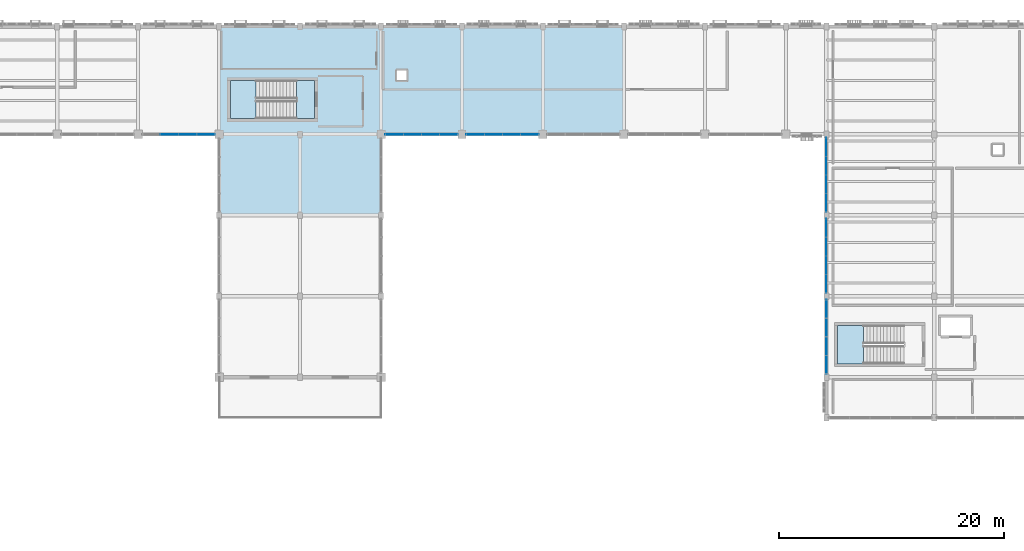
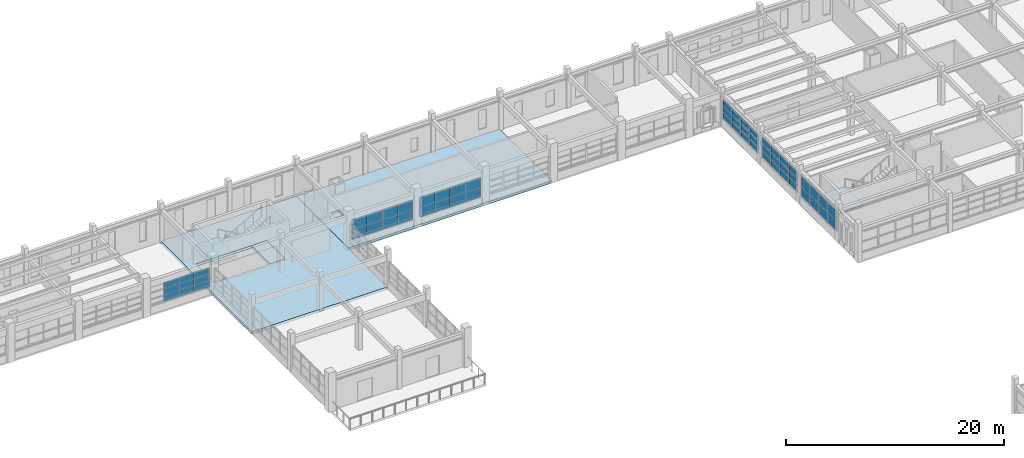
# One storey, part 39 of 69: 57 plates, 5 slabs, 8 elements without a shape of their own.
"""IFC4 building model written with IfcOpenShell, lengths in metres."""

from ifc_helpers import new_model, si_unit, direction, frame, origin, origin_2d, place, context, subcontext, project, spatial, polyline, rectangle, outline, extrude, material, layer, layer_set, type_object, element, aggregate, save


model = new_model("IFC4")

# Units and contexts
model_context = context("Model", 3, precision=1e-05, world=origin(), true_north=direction((0.0, 1.0)))
body_context = subcontext(model_context, "Body", "Model", "MODEL_VIEW")
ifc_project = project(units=[si_unit("LENGTHUNIT", "METRE"), si_unit("AREAUNIT", "SQUARE_METRE"), si_unit("VOLUMEUNIT", "CUBIC_METRE"), si_unit("PLANEANGLEUNIT", "RADIAN"), si_unit("MASSUNIT", "GRAM", prefix="KILO")], contexts=[model_context])

# Site, building, storey
site_placement = place(None, origin())
site = spatial("IfcSite", under=ifc_project, at=site_placement, CompositionType="ELEMENT")
building_placement = place(site_placement, origin())
building = spatial("IfcBuilding", under=site, at=building_placement, Name="Nzembalo Square Collegiate School", CompositionType="ELEMENT")
storey_placement = place(building_placement, frame((0.0, 0.0, 5.10009765625)))
storey = spatial("IfcBuildingStorey", under=building, at=storey_placement, Name="L01", CompositionType="ELEMENT", Elevation=5.10009765625)

# Curtain wall, plates
ifc_material_1 = material(Name="Aluminium 6060-T66", Category="aluminium")
curtain_wall_type_1 = type_object("IfcCurtainWallType", Name="CW-01", PredefinedType="USERDEFINED", material=ifc_material_1)
curtain_wall_1_placement = place(storey_placement, origin())
curtain_wall_1 = element("IfcCurtainWall", 1, at=curtain_wall_1_placement, inside=storey, type_object=curtain_wall_type_1, Name="Curtain wall CW-01 cw:L01:072", ObjectType="UNITISED", PredefinedType="USERDEFINED")
ifc_material_2 = material(Name="Laminated solar-control double glazing", Category="glass")
ifc_layer_1 = layer(ifc_material_2, 0.028076171875, Name="Laminated solar-control double glazing")
ifc_layer_set_1 = layer_set([ifc_layer_1], Name="Laminated solar-control double glazing")
plate_type_1 = type_object("IfcPlateType", Name="PN01", PredefinedType="CURTAIN_PANEL", material=ifc_layer_set_1)
plate_1_placement = place(storey_placement, frame((130.800048828125, 91.12646484375, 0.85400390625), z_axis=(0.0, 0.0, 1.0), x_axis=(0.0, 1.0, 0.0)))
plate_1 = element("IfcPlate", 2, at=plate_1_placement, type_object=plate_type_1, Name="PN01 glazed panel 1-1", PredefinedType="CURTAIN_PANEL", context=body_context, shape_type="SweptSolid", body=[
    extrude(rectangle(XDim=1.64111328125, YDim=0.028076171875, at=origin_2d()), origin(), (0.0, 0.0, 1.0), 0.7900390625),
])
plate_2_placement = place(storey_placement, frame((130.800048828125, 92.775390625, 0.85400390625), z_axis=(0.0, 0.0, 1.0), x_axis=(0.0, 1.0, 0.0)))
plate_2 = element("IfcPlate", 3, at=plate_2_placement, type_object=plate_type_1, Name="PN01 glazed panel 1-2", PredefinedType="CURTAIN_PANEL", context=body_context, shape_type="SweptSolid", body=[
    extrude(rectangle(XDim=1.64111328125, YDim=0.028076171875, at=origin_2d()), origin(), (0.0, 0.0, 1.0), 0.7900390625),
])
plate_3_placement = place(storey_placement, frame((130.800048828125, 94.424560546875, 0.85400390625), z_axis=(0.0, 0.0, 1.0), x_axis=(0.0, 1.0, 0.0)))
plate_3 = element("IfcPlate", 4, at=plate_3_placement, type_object=plate_type_1, Name="PN01 glazed panel 1-3", PredefinedType="CURTAIN_PANEL", context=body_context, shape_type="SweptSolid", body=[
    extrude(rectangle(XDim=1.64111328125, YDim=0.028076171875, at=origin_2d()), origin(), (0.0, 0.0, 1.0), 0.7900390625),
])
plate_4_placement = place(storey_placement, frame((130.800048828125, 96.073486328125, 0.85400390625), z_axis=(0.0, 0.0, 1.0), x_axis=(0.0, 1.0, 0.0)))
plate_4 = element("IfcPlate", 5, at=plate_4_placement, type_object=plate_type_1, Name="PN01 glazed panel 1-4", PredefinedType="CURTAIN_PANEL", context=body_context, shape_type="SweptSolid", body=[
    extrude(rectangle(XDim=1.64111328125, YDim=0.028076171875, at=origin_2d()), origin(), (0.0, 0.0, 1.0), 0.7900390625),
])
plate_5_placement = place(storey_placement, frame((130.800048828125, 91.12646484375, 1.65185546875), z_axis=(0.0, 0.0, 1.0), x_axis=(0.0, 1.0, 0.0)))
plate_5 = element("IfcPlate", 6, at=plate_5_placement, type_object=plate_type_1, Name="PN01 glazed panel 2-1", PredefinedType="CURTAIN_PANEL", context=body_context, shape_type="SweptSolid", body=[
    extrude(rectangle(XDim=1.64111328125, YDim=0.028076171875, at=origin_2d()), origin(), (0.0, 0.0, 1.0), 0.7900390625),
])
plate_6_placement = place(storey_placement, frame((130.800048828125, 92.775390625, 1.65185546875), z_axis=(0.0, 0.0, 1.0), x_axis=(0.0, 1.0, 0.0)))
plate_6 = element("IfcPlate", 7, at=plate_6_placement, type_object=plate_type_1, Name="PN01 glazed panel 2-2", PredefinedType="CURTAIN_PANEL", context=body_context, shape_type="SweptSolid", body=[
    extrude(rectangle(XDim=1.64111328125, YDim=0.028076171875, at=origin_2d()), origin(), (0.0, 0.0, 1.0), 0.7900390625),
])
plate_7_placement = place(storey_placement, frame((130.800048828125, 94.424560546875, 1.65185546875), z_axis=(0.0, 0.0, 1.0), x_axis=(0.0, 1.0, 0.0)))
plate_7 = element("IfcPlate", 8, at=plate_7_placement, type_object=plate_type_1, Name="PN01 glazed panel 2-3", PredefinedType="CURTAIN_PANEL", context=body_context, shape_type="SweptSolid", body=[
    extrude(rectangle(XDim=1.64111328125, YDim=0.028076171875, at=origin_2d()), origin(), (0.0, 0.0, 1.0), 0.7900390625),
])
plate_8_placement = place(storey_placement, frame((130.800048828125, 96.073486328125, 1.65185546875), z_axis=(0.0, 0.0, 1.0), x_axis=(0.0, 1.0, 0.0)))
plate_8 = element("IfcPlate", 9, at=plate_8_placement, type_object=plate_type_1, Name="PN01 glazed panel 2-4", PredefinedType="CURTAIN_PANEL", context=body_context, shape_type="SweptSolid", body=[
    extrude(rectangle(XDim=1.64111328125, YDim=0.028076171875, at=origin_2d()), origin(), (0.0, 0.0, 1.0), 0.7900390625),
])
plate_9_placement = place(storey_placement, frame((130.800048828125, 91.12646484375, 2.449951171875), z_axis=(0.0, 0.0, 1.0), x_axis=(0.0, 1.0, 0.0)))
plate_9 = element("IfcPlate", 10, at=plate_9_placement, type_object=plate_type_1, Name="PN01 glazed panel 3-1", PredefinedType="CURTAIN_PANEL", context=body_context, shape_type="SweptSolid", body=[
    extrude(rectangle(XDim=1.64111328125, YDim=0.028076171875, at=origin_2d()), origin(), (0.0, 0.0, 1.0), 0.7900390625),
])
plate_10_placement = place(storey_placement, frame((130.800048828125, 92.775390625, 2.449951171875), z_axis=(0.0, 0.0, 1.0), x_axis=(0.0, 1.0, 0.0)))
plate_10 = element("IfcPlate", 11, at=plate_10_placement, type_object=plate_type_1, Name="PN01 glazed panel 3-2", PredefinedType="CURTAIN_PANEL", context=body_context, shape_type="SweptSolid", body=[
    extrude(rectangle(XDim=1.64111328125, YDim=0.028076171875, at=origin_2d()), origin(), (0.0, 0.0, 1.0), 0.7900390625),
])
plate_11_placement = place(storey_placement, frame((130.800048828125, 94.424560546875, 2.449951171875), z_axis=(0.0, 0.0, 1.0), x_axis=(0.0, 1.0, 0.0)))
plate_11 = element("IfcPlate", 12, at=plate_11_placement, type_object=plate_type_1, Name="PN01 glazed panel 3-3", PredefinedType="CURTAIN_PANEL", context=body_context, shape_type="SweptSolid", body=[
    extrude(rectangle(XDim=1.64111328125, YDim=0.028076171875, at=origin_2d()), origin(), (0.0, 0.0, 1.0), 0.7900390625),
])
plate_12_placement = place(storey_placement, frame((130.800048828125, 96.073486328125, 2.449951171875), z_axis=(0.0, 0.0, 1.0), x_axis=(0.0, 1.0, 0.0)))
plate_12 = element("IfcPlate", 13, at=plate_12_placement, type_object=plate_type_1, Name="PN01 glazed panel 3-4", PredefinedType="CURTAIN_PANEL", context=body_context, shape_type="SweptSolid", body=[
    extrude(rectangle(XDim=1.64111328125, YDim=0.028076171875, at=origin_2d()), origin(), (0.0, 0.0, 1.0), 0.7900390625),
])
aggregate(curtain_wall_1, [plate_1, plate_2, plate_3, plate_4, plate_5, plate_6, plate_7, plate_8, plate_9, plate_10, plate_11, plate_12])

ifc_material_3 = material(Name="Aluminium 6060-T66", Category="aluminium")
curtain_wall_type_2 = type_object("IfcCurtainWallType", Name="CW-02", PredefinedType="USERDEFINED", material=ifc_material_3)
curtain_wall_2_placement = place(storey_placement, origin())
curtain_wall_2 = element("IfcCurtainWall", 14, at=curtain_wall_2_placement, inside=storey, type_object=curtain_wall_type_2, Name="Curtain wall CW-02 cw:L01:073", ObjectType="UNITISED", PredefinedType="USERDEFINED")
plate_13_placement = place(storey_placement, frame((130.800048828125, 98.326416015625, 0.85400390625), z_axis=(0.0, 0.0, 1.0), x_axis=(0.0, 1.0, 0.0)))
plate_13 = element("IfcPlate", 15, at=plate_13_placement, type_object=plate_type_1, Name="PN01 glazed panel 1-1", PredefinedType="CURTAIN_PANEL", context=body_context, shape_type="SweptSolid", body=[
    extrude(rectangle(XDim=1.64111328125, YDim=0.028076171875, at=origin_2d()), origin(), (0.0, 0.0, 1.0), 0.716552734375),
])
plate_14_placement = place(storey_placement, frame((130.800048828125, 99.9755859375, 0.85400390625), z_axis=(0.0, 0.0, 1.0), x_axis=(0.0, 1.0, 0.0)))
plate_14 = element("IfcPlate", 16, at=plate_14_placement, type_object=plate_type_1, Name="PN01 glazed panel 1-2", PredefinedType="CURTAIN_PANEL", context=body_context, shape_type="SweptSolid", body=[
    extrude(rectangle(XDim=1.64111328125, YDim=0.028076171875, at=origin_2d()), origin(), (0.0, 0.0, 1.0), 0.716552734375),
])
plate_15_placement = place(storey_placement, frame((130.800048828125, 101.62451171875, 0.85400390625), z_axis=(0.0, 0.0, 1.0), x_axis=(0.0, 1.0, 0.0)))
plate_15 = element("IfcPlate", 17, at=plate_15_placement, type_object=plate_type_1, Name="PN01 glazed panel 1-3", PredefinedType="CURTAIN_PANEL", context=body_context, shape_type="SweptSolid", body=[
    extrude(rectangle(XDim=1.64111328125, YDim=0.028076171875, at=origin_2d()), origin(), (0.0, 0.0, 1.0), 0.716552734375),
])
plate_16_placement = place(storey_placement, frame((130.800048828125, 103.2734375, 0.85400390625), z_axis=(0.0, 0.0, 1.0), x_axis=(0.0, 1.0, 0.0)))
plate_16 = element("IfcPlate", 18, at=plate_16_placement, type_object=plate_type_1, Name="PN01 glazed panel 1-4", PredefinedType="CURTAIN_PANEL", context=body_context, shape_type="SweptSolid", body=[
    extrude(rectangle(XDim=1.64111328125, YDim=0.028076171875, at=origin_2d()), origin(), (0.0, 0.0, 1.0), 0.716552734375),
])
plate_17_placement = place(storey_placement, frame((130.800048828125, 98.326416015625, 1.57861328125), z_axis=(0.0, 0.0, 1.0), x_axis=(0.0, 1.0, 0.0)))
plate_17 = element("IfcPlate", 19, at=plate_17_placement, type_object=plate_type_1, Name="PN01 glazed panel 2-1", PredefinedType="CURTAIN_PANEL", context=body_context, shape_type="SweptSolid", body=[
    extrude(rectangle(XDim=1.64111328125, YDim=0.028076171875, at=origin_2d()), origin(), (0.0, 0.0, 1.0), 0.716552734375),
])
plate_18_placement = place(storey_placement, frame((130.800048828125, 99.9755859375, 1.57861328125), z_axis=(0.0, 0.0, 1.0), x_axis=(0.0, 1.0, 0.0)))
plate_18 = element("IfcPlate", 20, at=plate_18_placement, type_object=plate_type_1, Name="PN01 glazed panel 2-2", PredefinedType="CURTAIN_PANEL", context=body_context, shape_type="SweptSolid", body=[
    extrude(rectangle(XDim=1.64111328125, YDim=0.028076171875, at=origin_2d()), origin(), (0.0, 0.0, 1.0), 0.716552734375),
])
plate_19_placement = place(storey_placement, frame((130.800048828125, 101.62451171875, 1.57861328125), z_axis=(0.0, 0.0, 1.0), x_axis=(0.0, 1.0, 0.0)))
plate_19 = element("IfcPlate", 21, at=plate_19_placement, type_object=plate_type_1, Name="PN01 glazed panel 2-3", PredefinedType="CURTAIN_PANEL", context=body_context, shape_type="SweptSolid", body=[
    extrude(rectangle(XDim=1.64111328125, YDim=0.028076171875, at=origin_2d()), origin(), (0.0, 0.0, 1.0), 0.716552734375),
])
plate_20_placement = place(storey_placement, frame((130.800048828125, 103.2734375, 1.57861328125), z_axis=(0.0, 0.0, 1.0), x_axis=(0.0, 1.0, 0.0)))
plate_20 = element("IfcPlate", 22, at=plate_20_placement, type_object=plate_type_1, Name="PN01 glazed panel 2-4", PredefinedType="CURTAIN_PANEL", context=body_context, shape_type="SweptSolid", body=[
    extrude(rectangle(XDim=1.64111328125, YDim=0.028076171875, at=origin_2d()), origin(), (0.0, 0.0, 1.0), 0.716552734375),
])
plate_21_placement = place(storey_placement, frame((130.800048828125, 98.326416015625, 2.30322265625), z_axis=(0.0, 0.0, 1.0), x_axis=(0.0, 1.0, 0.0)))
plate_21 = element("IfcPlate", 23, at=plate_21_placement, type_object=plate_type_1, Name="PN01 glazed panel 3-1", PredefinedType="CURTAIN_PANEL", context=body_context, shape_type="SweptSolid", body=[
    extrude(rectangle(XDim=1.64111328125, YDim=0.028076171875, at=origin_2d()), origin(), (0.0, 0.0, 1.0), 0.716552734375),
])
plate_22_placement = place(storey_placement, frame((130.800048828125, 99.9755859375, 2.30322265625), z_axis=(0.0, 0.0, 1.0), x_axis=(0.0, 1.0, 0.0)))
plate_22 = element("IfcPlate", 24, at=plate_22_placement, type_object=plate_type_1, Name="PN01 glazed panel 3-2", PredefinedType="CURTAIN_PANEL", context=body_context, shape_type="SweptSolid", body=[
    extrude(rectangle(XDim=1.64111328125, YDim=0.028076171875, at=origin_2d()), origin(), (0.0, 0.0, 1.0), 0.716552734375),
])
plate_23_placement = place(storey_placement, frame((130.800048828125, 101.62451171875, 2.30322265625), z_axis=(0.0, 0.0, 1.0), x_axis=(0.0, 1.0, 0.0)))
plate_23 = element("IfcPlate", 25, at=plate_23_placement, type_object=plate_type_1, Name="PN01 glazed panel 3-3", PredefinedType="CURTAIN_PANEL", context=body_context, shape_type="SweptSolid", body=[
    extrude(rectangle(XDim=1.64111328125, YDim=0.028076171875, at=origin_2d()), origin(), (0.0, 0.0, 1.0), 0.716552734375),
])
plate_24_placement = place(storey_placement, frame((130.800048828125, 103.2734375, 2.30322265625), z_axis=(0.0, 0.0, 1.0), x_axis=(0.0, 1.0, 0.0)))
plate_24 = element("IfcPlate", 26, at=plate_24_placement, type_object=plate_type_1, Name="PN01 glazed panel 3-4", PredefinedType="CURTAIN_PANEL", context=body_context, shape_type="SweptSolid", body=[
    extrude(rectangle(XDim=1.64111328125, YDim=0.028076171875, at=origin_2d()), origin(), (0.0, 0.0, 1.0), 0.716552734375),
])
aggregate(curtain_wall_2, [plate_13, plate_14, plate_15, plate_16, plate_17, plate_18, plate_19, plate_20, plate_21, plate_22, plate_23, plate_24])

curtain_wall_3_placement = place(storey_placement, origin())
curtain_wall_3 = element("IfcCurtainWall", 27, at=curtain_wall_3_placement, inside=storey, type_object=curtain_wall_type_2, Name="Curtain wall CW-02 cw:L01:089", ObjectType="UNITISED", PredefinedType="USERDEFINED")
plate_25_placement = place(storey_placement, frame((72.394287109375, 104.39990234375, 0.85400390625), z_axis=(0.0, 0.0, 1.0), x_axis=(1.0, 0.0, 0.0)))
plate_25 = element("IfcPlate", 28, at=plate_25_placement, type_object=plate_type_1, Name="PN01 glazed panel 1-2", PredefinedType="CURTAIN_PANEL", context=body_context, shape_type="SweptSolid", body=[
    extrude(rectangle(XDim=1.603515625, YDim=0.028076171875, at=origin_2d()), origin(), (0.0, 0.0, 1.0), 0.716552734375),
])
plate_26_placement = place(storey_placement, frame((74.005859375, 104.39990234375, 0.85400390625), z_axis=(0.0, 0.0, 1.0), x_axis=(1.0, 0.0, 0.0)))
plate_26 = element("IfcPlate", 29, at=plate_26_placement, type_object=plate_type_1, Name="PN01 glazed panel 1-3", PredefinedType="CURTAIN_PANEL", context=body_context, shape_type="SweptSolid", body=[
    extrude(rectangle(XDim=1.603515625, YDim=0.028076171875, at=origin_2d()), origin(), (0.0, 0.0, 1.0), 0.716552734375),
])
plate_27_placement = place(storey_placement, frame((75.6171875, 104.39990234375, 0.85400390625), z_axis=(0.0, 0.0, 1.0), x_axis=(1.0, 0.0, 0.0)))
plate_27 = element("IfcPlate", 30, at=plate_27_placement, type_object=plate_type_1, Name="PN01 glazed panel 1-4", PredefinedType="CURTAIN_PANEL", context=body_context, shape_type="SweptSolid", body=[
    extrude(rectangle(XDim=1.603515625, YDim=0.028076171875, at=origin_2d()), origin(), (0.0, 0.0, 1.0), 0.716552734375),
])
plate_28_placement = place(storey_placement, frame((72.394287109375, 104.39990234375, 1.57861328125), z_axis=(0.0, 0.0, 1.0), x_axis=(1.0, 0.0, 0.0)))
plate_28 = element("IfcPlate", 31, at=plate_28_placement, type_object=plate_type_1, Name="PN01 glazed panel 2-2", PredefinedType="CURTAIN_PANEL", context=body_context, shape_type="SweptSolid", body=[
    extrude(rectangle(XDim=1.603515625, YDim=0.028076171875, at=origin_2d()), origin(), (0.0, 0.0, 1.0), 0.716552734375),
])
plate_29_placement = place(storey_placement, frame((74.005859375, 104.39990234375, 1.57861328125), z_axis=(0.0, 0.0, 1.0), x_axis=(1.0, 0.0, 0.0)))
plate_29 = element("IfcPlate", 32, at=plate_29_placement, type_object=plate_type_1, Name="PN01 glazed panel 2-3", PredefinedType="CURTAIN_PANEL", context=body_context, shape_type="SweptSolid", body=[
    extrude(rectangle(XDim=1.603515625, YDim=0.028076171875, at=origin_2d()), origin(), (0.0, 0.0, 1.0), 0.716552734375),
])
plate_30_placement = place(storey_placement, frame((75.6171875, 104.39990234375, 1.57861328125), z_axis=(0.0, 0.0, 1.0), x_axis=(1.0, 0.0, 0.0)))
plate_30 = element("IfcPlate", 33, at=plate_30_placement, type_object=plate_type_1, Name="PN01 glazed panel 2-4", PredefinedType="CURTAIN_PANEL", context=body_context, shape_type="SweptSolid", body=[
    extrude(rectangle(XDim=1.603515625, YDim=0.028076171875, at=origin_2d()), origin(), (0.0, 0.0, 1.0), 0.716552734375),
])
plate_31_placement = place(storey_placement, frame((72.394287109375, 104.39990234375, 2.30322265625), z_axis=(0.0, 0.0, 1.0), x_axis=(1.0, 0.0, 0.0)))
plate_31 = element("IfcPlate", 34, at=plate_31_placement, type_object=plate_type_1, Name="PN01 glazed panel 3-2", PredefinedType="CURTAIN_PANEL", context=body_context, shape_type="SweptSolid", body=[
    extrude(rectangle(XDim=1.603515625, YDim=0.028076171875, at=origin_2d()), origin(), (0.0, 0.0, 1.0), 0.716552734375),
])
plate_32_placement = place(storey_placement, frame((74.005859375, 104.39990234375, 2.30322265625), z_axis=(0.0, 0.0, 1.0), x_axis=(1.0, 0.0, 0.0)))
plate_32 = element("IfcPlate", 35, at=plate_32_placement, type_object=plate_type_1, Name="PN01 glazed panel 3-3", PredefinedType="CURTAIN_PANEL", context=body_context, shape_type="SweptSolid", body=[
    extrude(rectangle(XDim=1.603515625, YDim=0.028076171875, at=origin_2d()), origin(), (0.0, 0.0, 1.0), 0.716552734375),
])
plate_33_placement = place(storey_placement, frame((75.6171875, 104.39990234375, 2.30322265625), z_axis=(0.0, 0.0, 1.0), x_axis=(1.0, 0.0, 0.0)))
plate_33 = element("IfcPlate", 36, at=plate_33_placement, type_object=plate_type_1, Name="PN01 glazed panel 3-4", PredefinedType="CURTAIN_PANEL", context=body_context, shape_type="SweptSolid", body=[
    extrude(rectangle(XDim=1.603515625, YDim=0.028076171875, at=origin_2d()), origin(), (0.0, 0.0, 1.0), 0.716552734375),
])
aggregate(curtain_wall_3, [plate_25, plate_26, plate_27, plate_28, plate_29, plate_30, plate_31, plate_32, plate_33])

ifc_material_4 = material(Name="Aluminium 6060-T66", Category="aluminium")
curtain_wall_type_3 = type_object("IfcCurtainWallType", Name="CW-08", PredefinedType="USERDEFINED", material=ifc_material_4)
curtain_wall_4_placement = place(storey_placement, origin())
curtain_wall_4 = element("IfcCurtainWall", 37, at=curtain_wall_4_placement, inside=storey, type_object=curtain_wall_type_3, Name="Curtain wall CW-08 cw:L01:071", ObjectType="LANCET", PredefinedType="USERDEFINED")
ifc_material_5 = material(Name="Acoustic laminated solar-control glazing", Category="glass")
ifc_layer_2 = layer(ifc_material_5, 0.031982421875, Name="Acoustic laminated solar-control glazing")
ifc_layer_set_2 = layer_set([ifc_layer_2], Name="Acoustic laminated solar-control glazing")
plate_type_2 = type_object("IfcPlateType", Name="PN02", PredefinedType="CURTAIN_PANEL", material=ifc_layer_set_2)
plate_34_placement = place(storey_placement, frame((130.800048828125, 83.926513671875, 0.85400390625), z_axis=(0.0, 0.0, 1.0), x_axis=(0.0, 1.0, 0.0)))
plate_34 = element("IfcPlate", 38, at=plate_34_placement, type_object=plate_type_2, Name="PN02 glazed panel 1-1", PredefinedType="CURTAIN_PANEL", context=body_context, shape_type="SweptSolid", body=[
    extrude(rectangle(XDim=1.64111328125, YDim=0.031982421875, at=origin_2d()), origin(), (0.0, 0.0, 1.0), 1.18896484375),
])
plate_35_placement = place(storey_placement, frame((130.800048828125, 85.575439453125, 0.85400390625), z_axis=(0.0, 0.0, 1.0), x_axis=(0.0, 1.0, 0.0)))
plate_35 = element("IfcPlate", 39, at=plate_35_placement, type_object=plate_type_2, Name="PN02 glazed panel 1-2", PredefinedType="CURTAIN_PANEL", context=body_context, shape_type="SweptSolid", body=[
    extrude(rectangle(XDim=1.64111328125, YDim=0.031982421875, at=origin_2d()), origin(), (0.0, 0.0, 1.0), 1.18896484375),
])
plate_36_placement = place(storey_placement, frame((130.800048828125, 87.224609375, 0.85400390625), z_axis=(0.0, 0.0, 1.0), x_axis=(0.0, 1.0, 0.0)))
plate_36 = element("IfcPlate", 40, at=plate_36_placement, type_object=plate_type_2, Name="PN02 glazed panel 1-3", PredefinedType="CURTAIN_PANEL", context=body_context, shape_type="SweptSolid", body=[
    extrude(rectangle(XDim=1.64111328125, YDim=0.031982421875, at=origin_2d()), origin(), (0.0, 0.0, 1.0), 1.18896484375),
])
plate_37_placement = place(storey_placement, frame((130.800048828125, 88.87353515625, 0.85400390625), z_axis=(0.0, 0.0, 1.0), x_axis=(0.0, 1.0, 0.0)))
plate_37 = element("IfcPlate", 41, at=plate_37_placement, type_object=plate_type_2, Name="PN02 glazed panel 1-4", PredefinedType="CURTAIN_PANEL", context=body_context, shape_type="SweptSolid", body=[
    extrude(rectangle(XDim=1.64111328125, YDim=0.031982421875, at=origin_2d()), origin(), (0.0, 0.0, 1.0), 1.18896484375),
])
plate_38_placement = place(storey_placement, frame((130.800048828125, 83.926513671875, 2.051025390625), z_axis=(0.0, 0.0, 1.0), x_axis=(0.0, 1.0, 0.0)))
plate_38 = element("IfcPlate", 42, at=plate_38_placement, type_object=plate_type_2, Name="PN02 glazed panel 2-1", PredefinedType="CURTAIN_PANEL", context=body_context, shape_type="SweptSolid", body=[
    extrude(rectangle(XDim=1.64111328125, YDim=0.031982421875, at=origin_2d()), origin(), (0.0, 0.0, 1.0), 1.18896484375),
])
plate_39_placement = place(storey_placement, frame((130.800048828125, 85.575439453125, 2.051025390625), z_axis=(0.0, 0.0, 1.0), x_axis=(0.0, 1.0, 0.0)))
plate_39 = element("IfcPlate", 43, at=plate_39_placement, type_object=plate_type_2, Name="PN02 glazed panel 2-2", PredefinedType="CURTAIN_PANEL", context=body_context, shape_type="SweptSolid", body=[
    extrude(rectangle(XDim=1.64111328125, YDim=0.031982421875, at=origin_2d()), origin(), (0.0, 0.0, 1.0), 1.18896484375),
])
plate_40_placement = place(storey_placement, frame((130.800048828125, 87.224609375, 2.051025390625), z_axis=(0.0, 0.0, 1.0), x_axis=(0.0, 1.0, 0.0)))
plate_40 = element("IfcPlate", 44, at=plate_40_placement, type_object=plate_type_2, Name="PN02 glazed panel 2-3", PredefinedType="CURTAIN_PANEL", context=body_context, shape_type="SweptSolid", body=[
    extrude(rectangle(XDim=1.64111328125, YDim=0.031982421875, at=origin_2d()), origin(), (0.0, 0.0, 1.0), 1.18896484375),
])
plate_41_placement = place(storey_placement, frame((130.800048828125, 88.87353515625, 2.051025390625), z_axis=(0.0, 0.0, 1.0), x_axis=(0.0, 1.0, 0.0)))
plate_41 = element("IfcPlate", 45, at=plate_41_placement, type_object=plate_type_2, Name="PN02 glazed panel 2-4", PredefinedType="CURTAIN_PANEL", context=body_context, shape_type="SweptSolid", body=[
    extrude(rectangle(XDim=1.64111328125, YDim=0.031982421875, at=origin_2d()), origin(), (0.0, 0.0, 1.0), 1.18896484375),
])
aggregate(curtain_wall_4, [plate_34, plate_35, plate_36, plate_37, plate_38, plate_39, plate_40, plate_41])

ifc_material_6 = material(Name="Aluminium 6060-T66", Category="aluminium")
curtain_wall_type_4 = type_object("IfcCurtainWallType", Name="CW-03", PredefinedType="USERDEFINED", material=ifc_material_6)
curtain_wall_5_placement = place(storey_placement, origin())
curtain_wall_5 = element("IfcCurtainWall", 46, at=curtain_wall_5_placement, inside=storey, type_object=curtain_wall_type_4, Name="Curtain wall CW-03 cw:L01:074", ObjectType="UNITISED", PredefinedType="USERDEFINED")
plate_42_placement = place(storey_placement, frame((92.3828125, 104.39990234375, 0.853759765625), z_axis=(0.0, 0.0, 1.0), x_axis=(1.0, 0.0, 0.0)))
plate_42 = element("IfcPlate", 47, at=plate_42_placement, type_object=plate_type_2, Name="PN02 glazed panel 1-1", PredefinedType="CURTAIN_PANEL", context=body_context, shape_type="SweptSolid", body=[
    extrude(rectangle(XDim=1.603515625, YDim=0.031982421875, at=origin_2d()), origin(), (0.0, 0.0, 1.0), 1.0791015625),
])
plate_43_placement = place(storey_placement, frame((93.994140625, 104.39990234375, 0.853759765625), z_axis=(0.0, 0.0, 1.0), x_axis=(1.0, 0.0, 0.0)))
plate_43 = element("IfcPlate", 48, at=plate_43_placement, type_object=plate_type_2, Name="PN02 glazed panel 1-2", PredefinedType="CURTAIN_PANEL", context=body_context, shape_type="SweptSolid", body=[
    extrude(rectangle(XDim=1.603515625, YDim=0.031982421875, at=origin_2d()), origin(), (0.0, 0.0, 1.0), 1.0791015625),
])
plate_44_placement = place(storey_placement, frame((95.605712890625, 104.39990234375, 0.853759765625), z_axis=(0.0, 0.0, 1.0), x_axis=(1.0, 0.0, 0.0)))
plate_44 = element("IfcPlate", 49, at=plate_44_placement, type_object=plate_type_2, Name="PN02 glazed panel 1-3", PredefinedType="CURTAIN_PANEL", context=body_context, shape_type="SweptSolid", body=[
    extrude(rectangle(XDim=1.603515625, YDim=0.031982421875, at=origin_2d()), origin(), (0.0, 0.0, 1.0), 1.0791015625),
])
plate_45_placement = place(storey_placement, frame((97.21728515625, 104.39990234375, 0.853759765625), z_axis=(0.0, 0.0, 1.0), x_axis=(1.0, 0.0, 0.0)))
plate_45 = element("IfcPlate", 50, at=plate_45_placement, type_object=plate_type_2, Name="PN02 glazed panel 1-4", PredefinedType="CURTAIN_PANEL", context=body_context, shape_type="SweptSolid", body=[
    extrude(rectangle(XDim=1.603515625, YDim=0.031982421875, at=origin_2d()), origin(), (0.0, 0.0, 1.0), 1.0791015625),
])
plate_46_placement = place(storey_placement, frame((92.3828125, 104.39990234375, 1.94091796875), z_axis=(0.0, 0.0, 1.0), x_axis=(1.0, 0.0, 0.0)))
plate_46 = element("IfcPlate", 51, at=plate_46_placement, type_object=plate_type_2, Name="PN02 glazed panel 2-1", PredefinedType="CURTAIN_PANEL", context=body_context, shape_type="SweptSolid", body=[
    extrude(rectangle(XDim=1.603515625, YDim=0.031982421875, at=origin_2d()), origin(), (0.0, 0.0, 1.0), 1.0791015625),
])
plate_47_placement = place(storey_placement, frame((93.994140625, 104.39990234375, 1.94091796875), z_axis=(0.0, 0.0, 1.0), x_axis=(1.0, 0.0, 0.0)))
plate_47 = element("IfcPlate", 52, at=plate_47_placement, type_object=plate_type_2, Name="PN02 glazed panel 2-2", PredefinedType="CURTAIN_PANEL", context=body_context, shape_type="SweptSolid", body=[
    extrude(rectangle(XDim=1.603515625, YDim=0.031982421875, at=origin_2d()), origin(), (0.0, 0.0, 1.0), 1.0791015625),
])
plate_48_placement = place(storey_placement, frame((95.605712890625, 104.39990234375, 1.94091796875), z_axis=(0.0, 0.0, 1.0), x_axis=(1.0, 0.0, 0.0)))
plate_48 = element("IfcPlate", 53, at=plate_48_placement, type_object=plate_type_2, Name="PN02 glazed panel 2-3", PredefinedType="CURTAIN_PANEL", context=body_context, shape_type="SweptSolid", body=[
    extrude(rectangle(XDim=1.603515625, YDim=0.031982421875, at=origin_2d()), origin(), (0.0, 0.0, 1.0), 1.0791015625),
])
plate_49_placement = place(storey_placement, frame((97.21728515625, 104.39990234375, 1.94091796875), z_axis=(0.0, 0.0, 1.0), x_axis=(1.0, 0.0, 0.0)))
plate_49 = element("IfcPlate", 54, at=plate_49_placement, type_object=plate_type_2, Name="PN02 glazed panel 2-4", PredefinedType="CURTAIN_PANEL", context=body_context, shape_type="SweptSolid", body=[
    extrude(rectangle(XDim=1.603515625, YDim=0.031982421875, at=origin_2d()), origin(), (0.0, 0.0, 1.0), 1.0791015625),
])
aggregate(curtain_wall_5, [plate_42, plate_43, plate_44, plate_45, plate_46, plate_47, plate_48, plate_49])

ifc_material_7 = material(Name="Aluminium 6060-T66", Category="aluminium")
curtain_wall_type_5 = type_object("IfcCurtainWallType", Name="CW-04", PredefinedType="USERDEFINED", material=ifc_material_7)
curtain_wall_6_placement = place(storey_placement, origin())
curtain_wall_6 = element("IfcCurtainWall", 55, at=curtain_wall_6_placement, inside=storey, type_object=curtain_wall_type_5, Name="Curtain wall CW-04 cw:L01:075", ObjectType="UNITISED", PredefinedType="USERDEFINED")
plate_50_placement = place(storey_placement, frame((99.582763671875, 104.39990234375, 0.853759765625), z_axis=(0.0, 0.0, 1.0), x_axis=(1.0, 0.0, 0.0)))
plate_50 = element("IfcPlate", 56, at=plate_50_placement, type_object=plate_type_2, Name="PN02 glazed panel 1-1", PredefinedType="CURTAIN_PANEL", context=body_context, shape_type="SweptSolid", body=[
    extrude(rectangle(XDim=1.603515625, YDim=0.031982421875, at=origin_2d()), origin(), (0.0, 0.0, 1.0), 1.0791015625),
])
plate_51_placement = place(storey_placement, frame((101.1943359375, 104.39990234375, 0.853759765625), z_axis=(0.0, 0.0, 1.0), x_axis=(1.0, 0.0, 0.0)))
plate_51 = element("IfcPlate", 57, at=plate_51_placement, type_object=plate_type_2, Name="PN02 glazed panel 1-2", PredefinedType="CURTAIN_PANEL", context=body_context, shape_type="SweptSolid", body=[
    extrude(rectangle(XDim=1.603515625, YDim=0.031982421875, at=origin_2d()), origin(), (0.0, 0.0, 1.0), 1.0791015625),
])
plate_52_placement = place(storey_placement, frame((102.8056640625, 104.39990234375, 0.853759765625), z_axis=(0.0, 0.0, 1.0), x_axis=(1.0, 0.0, 0.0)))
plate_52 = element("IfcPlate", 58, at=plate_52_placement, type_object=plate_type_2, Name="PN02 glazed panel 1-3", PredefinedType="CURTAIN_PANEL", context=body_context, shape_type="SweptSolid", body=[
    extrude(rectangle(XDim=1.603515625, YDim=0.031982421875, at=origin_2d()), origin(), (0.0, 0.0, 1.0), 1.0791015625),
])
plate_53_placement = place(storey_placement, frame((104.417236328125, 104.39990234375, 0.853759765625), z_axis=(0.0, 0.0, 1.0), x_axis=(1.0, 0.0, 0.0)))
plate_53 = element("IfcPlate", 59, at=plate_53_placement, type_object=plate_type_2, Name="PN02 glazed panel 1-4", PredefinedType="CURTAIN_PANEL", context=body_context, shape_type="SweptSolid", body=[
    extrude(rectangle(XDim=1.603515625, YDim=0.031982421875, at=origin_2d()), origin(), (0.0, 0.0, 1.0), 1.0791015625),
])
plate_54_placement = place(storey_placement, frame((99.582763671875, 104.39990234375, 1.94091796875), z_axis=(0.0, 0.0, 1.0), x_axis=(1.0, 0.0, 0.0)))
plate_54 = element("IfcPlate", 60, at=plate_54_placement, type_object=plate_type_2, Name="PN02 glazed panel 2-1", PredefinedType="CURTAIN_PANEL", context=body_context, shape_type="SweptSolid", body=[
    extrude(rectangle(XDim=1.603515625, YDim=0.031982421875, at=origin_2d()), origin(), (0.0, 0.0, 1.0), 1.0791015625),
])
plate_55_placement = place(storey_placement, frame((101.1943359375, 104.39990234375, 1.94091796875), z_axis=(0.0, 0.0, 1.0), x_axis=(1.0, 0.0, 0.0)))
plate_55 = element("IfcPlate", 61, at=plate_55_placement, type_object=plate_type_2, Name="PN02 glazed panel 2-2", PredefinedType="CURTAIN_PANEL", context=body_context, shape_type="SweptSolid", body=[
    extrude(rectangle(XDim=1.603515625, YDim=0.031982421875, at=origin_2d()), origin(), (0.0, 0.0, 1.0), 1.0791015625),
])
plate_56_placement = place(storey_placement, frame((102.8056640625, 104.39990234375, 1.94091796875), z_axis=(0.0, 0.0, 1.0), x_axis=(1.0, 0.0, 0.0)))
plate_56 = element("IfcPlate", 62, at=plate_56_placement, type_object=plate_type_2, Name="PN02 glazed panel 2-3", PredefinedType="CURTAIN_PANEL", context=body_context, shape_type="SweptSolid", body=[
    extrude(rectangle(XDim=1.603515625, YDim=0.031982421875, at=origin_2d()), origin(), (0.0, 0.0, 1.0), 1.0791015625),
])
plate_57_placement = place(storey_placement, frame((104.417236328125, 104.39990234375, 1.94091796875), z_axis=(0.0, 0.0, 1.0), x_axis=(1.0, 0.0, 0.0)))
plate_57 = element("IfcPlate", 63, at=plate_57_placement, type_object=plate_type_2, Name="PN02 glazed panel 2-4", PredefinedType="CURTAIN_PANEL", context=body_context, shape_type="SweptSolid", body=[
    extrude(rectangle(XDim=1.603515625, YDim=0.031982421875, at=origin_2d()), origin(), (0.0, 0.0, 1.0), 1.0791015625),
])
aggregate(curtain_wall_6, [plate_50, plate_51, plate_52, plate_53, plate_54, plate_55, plate_56, plate_57])

# Stair, slab
ifc_material_8 = material(Name="Precast concrete C40/50", Category="concrete")
stair_type = type_object("IfcStairType", Name="ST-26R", PredefinedType="HALF_TURN_STAIR", material=ifc_material_8)
stair_1_placement = place(storey_placement, origin())
stair_1 = element("IfcStair", 64, at=stair_1_placement, inside=storey, type_object=stair_type, Name="Escape stair ST-11 (C3 L01)", PredefinedType="HALF_TURN_STAIR")
ifc_material_9 = material(Name="Precast concrete C40/50", Category="concrete")
ifc_layer_3 = layer(ifc_material_9, 0.199951171875, Name="Precast concrete C40/50")
ifc_layer_set_3 = layer_set([ifc_layer_3], Name="Precast concrete C40/50")
slab_type_1 = type_object("IfcSlabType", Name="SL-LDG", PredefinedType="LANDING", material=ifc_layer_set_3)
slab_1_placement = place(storey_placement, frame((0.0, 0.0, 2.010009765625)))
slab_1 = element("IfcSlab", 65, at=slab_1_placement, type_object=slab_type_1, Name="ST-11 landing 1", PredefinedType="LANDING", context=body_context, shape_type="SweptSolid", body=[
    extrude(outline(polyline([(80.10009765625, 109.199951171875), (77.800048828125, 109.199951171875), (77.800048828125, 105.800048828125), (80.10009765625, 105.800048828125), (80.10009765625, 109.199951171875)])), origin(), (0.0, 0.0, 1.0), 0.199951171875),
])
aggregate(stair_1, [slab_1])

stair_2_placement = place(storey_placement, origin())
stair_2 = element("IfcStair", 66, at=stair_2_placement, inside=storey, type_object=stair_type, Name="Escape stair ST-14 (C4 L01)", PredefinedType="HALF_TURN_STAIR")
slab_2_placement = place(storey_placement, frame((0.0, 0.0, 2.010009765625)))
slab_2 = element("IfcSlab", 67, at=slab_2_placement, type_object=slab_type_1, Name="ST-14 landing 1", PredefinedType="LANDING", context=body_context, shape_type="SweptSolid", body=[
    extrude(outline(polyline([(134.10009765625, 87.39990234375), (131.800048828125, 87.39990234375), (131.800048828125, 84.0), (134.10009765625, 84.0), (134.10009765625, 87.39990234375)])), origin(), (0.0, 0.0, 1.0), 0.199951171875),
])
aggregate(stair_2, [slab_2])

# Slabs
ifc_material_10 = material(Name="Concrete C35/45", Category="concrete")
ifc_layer_4 = layer(ifc_material_10, 0.284912109375, Name="Concrete C35/45")
ifc_layer_set_4 = layer_set([ifc_layer_4], Name="Concrete C35/45")
slab_type_2 = type_object("IfcSlabType", Name="SL-01", PredefinedType="FLOOR", material=ifc_layer_set_4)
slab_3_placement = place(storey_placement, frame((0.0, 0.0, -0.28515625)))
element("IfcSlab", 68, at=slab_3_placement, inside=storey, type_object=slab_type_2, Name="Slab SL-L01-43", PredefinedType="FLOOR", context=body_context, shape_type="SweptSolid", body=[
    extrude(outline(polyline([(76.800048828125, 97.199951171875), (91.199951171875, 97.199951171875), (91.199951171875, 114.0), (76.800048828125, 114.0), (76.800048828125, 97.199951171875)]), holes=[polyline([(85.300048828125, 109.199951171875), (77.800048828125, 109.199951171875), (77.800048828125, 105.800048828125), (85.300048828125, 105.800048828125), (85.300048828125, 109.199951171875)])]), origin(), (0.0, 0.0, 1.0), 0.28515625),
])
slab_4_placement = place(storey_placement, frame((0.0, 0.0, -0.28515625)))
element("IfcSlab", 69, at=slab_4_placement, inside=storey, type_object=slab_type_2, Name="Slab SL-L01-44", PredefinedType="FLOOR", context=body_context, shape_type="SweptSolid", body=[
    extrude(outline(polyline([(91.199951171875, 104.39990234375), (112.800048828125, 104.39990234375), (112.800048828125, 114.0), (91.199951171875, 114.0), (91.199951171875, 104.39990234375)]), holes=[polyline([(92.60009765625, 109.199951171875), (93.5, 109.199951171875), (93.5, 110.10009765625), (92.60009765625, 110.10009765625), (92.60009765625, 109.199951171875)])]), origin(), (0.0, 0.0, 1.0), 0.28515625),
])
slab_5_placement = place(storey_placement, frame((0.0, 0.0, -0.28515625)))
element("IfcSlab", 70, at=slab_5_placement, inside=storey, type_object=slab_type_2, Name="Core C3 floor landing slab SL-L01-C3", PredefinedType="FLOOR", context=body_context, shape_type="SweptSolid", body=[
    extrude(outline(polyline([(83.699951171875, 105.800048828125), (85.300048828125, 105.800048828125), (85.300048828125, 109.199951171875), (83.699951171875, 109.199951171875), (83.699951171875, 105.800048828125)])), origin(), (0.0, 0.0, 1.0), 0.28515625),
])

save(model, "model.ifc")
